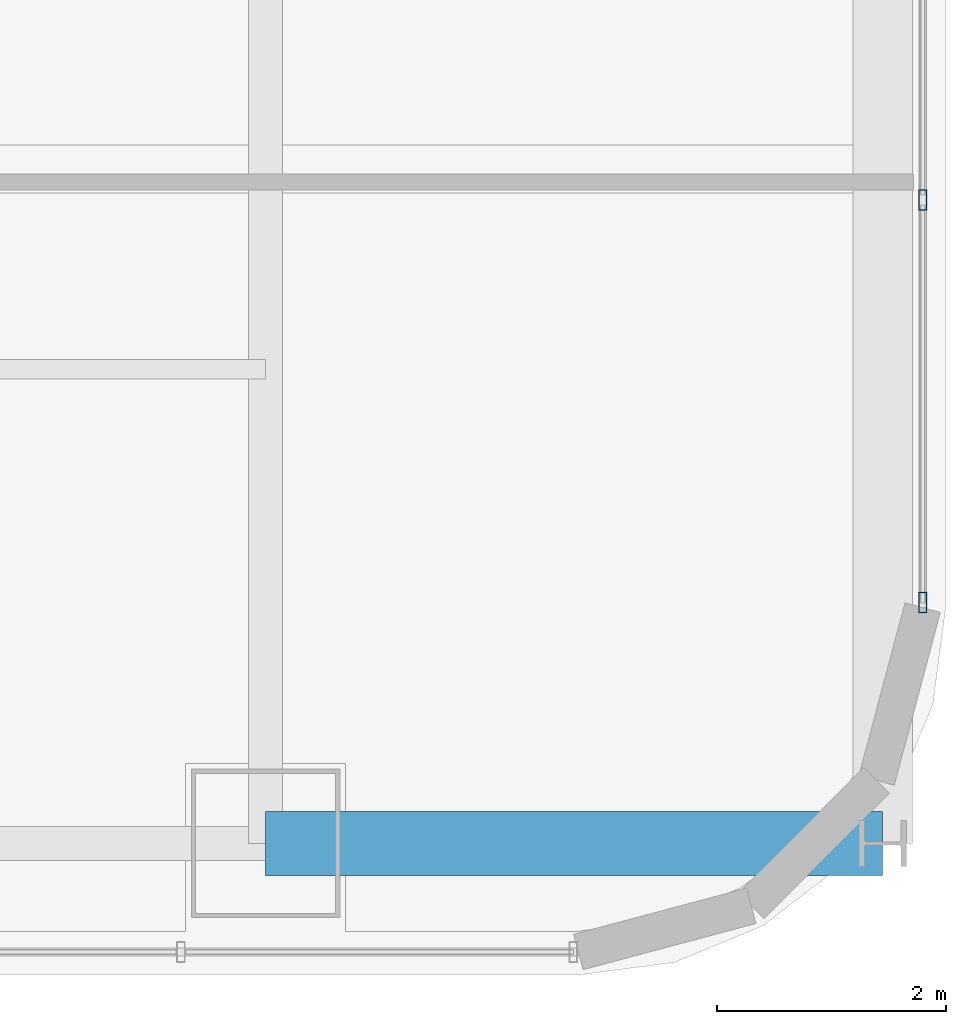
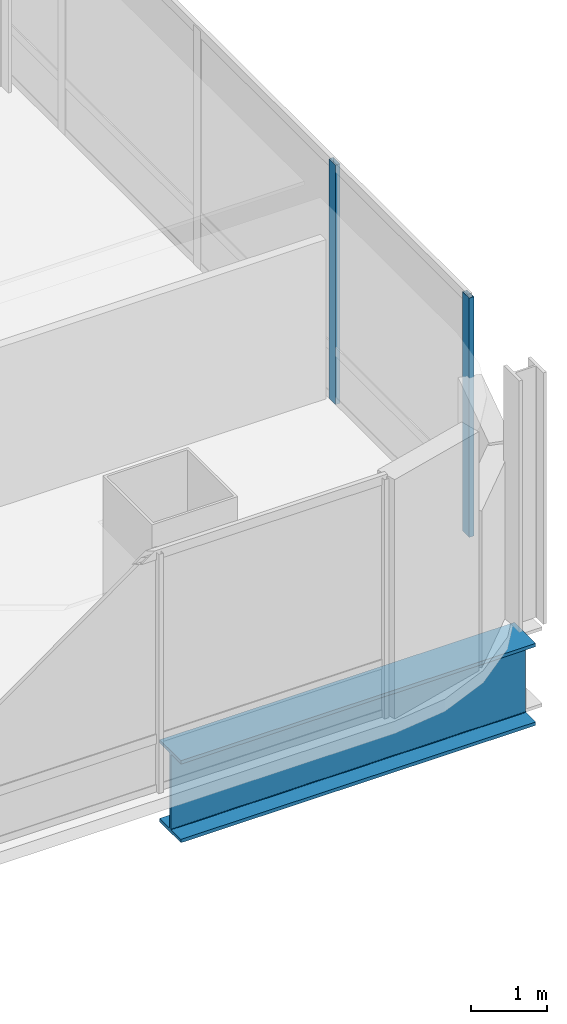
# One storey, part 13 of 44: 2 members, 1 beam, 1 element without a shape of its own.
"""IFC4 building model written with IfcOpenShell, lengths in metres."""

from ifc_helpers import new_model, si_unit, direction, frame, origin, origin_2d, place, context, subcontext, project, spatial, hollow_rectangle, i_section, extrude, material, material_profile, profile_set, type_object, element, aggregate, save


model = new_model("IFC4")

# Units and contexts
model_context = context("Model", 3, precision=1e-05, world=origin(), true_north=direction((0.0, 1.0)))
body_context = subcontext(model_context, "Body", "Model", "MODEL_VIEW")
ifc_project = project(units=[si_unit("LENGTHUNIT", "METRE"), si_unit("AREAUNIT", "SQUARE_METRE"), si_unit("VOLUMEUNIT", "CUBIC_METRE"), si_unit("PLANEANGLEUNIT", "RADIAN"), si_unit("MASSUNIT", "GRAM", prefix="KILO")], contexts=[model_context])

# Site, building, storey
site_placement = place(None, origin())
site = spatial("IfcSite", under=ifc_project, at=site_placement, CompositionType="ELEMENT")
building_placement = place(site_placement, origin())
building = spatial("IfcBuilding", under=site, at=building_placement, Name="Punatoya Terracotta Tower", CompositionType="ELEMENT")
storey_placement = place(building_placement, frame((0.0, 0.0, 267.60009765625)))
storey = spatial("IfcBuildingStorey", under=building, at=storey_placement, Name="L63", CompositionType="ELEMENT", Elevation=267.60009765625)

# Beam
ifc_material_1 = material(Name="Steel S460", Category="steel")
ifc_material_profile_1 = material_profile(ifc_material_1, i_section(OverallWidth=0.56005859375, OverallDepth=1.320068359375, WebThickness=0.035888671875, FlangeThickness=0.054931640625, FilletRadius=0.01806640625, at=origin_2d()))
ifc_profile_set_1 = profile_set([ifc_material_profile_1], Name="Steel S460")
beam_type = type_object("IfcBeamType", Name="BM-TG-BLK", PredefinedType="BEAM", material=ifc_profile_set_1)
beam_placement = place(storey_placement, frame((19.10009765625, -17.5, -0.860107421875), z_axis=(1.0, 0.0, 0.0), x_axis=(0.0, 1.0, 0.0)))
element("IfcBeam", 1, at=beam_placement, inside=storey, type_object=beam_type, Name="BM-L63-CANT-E1", PredefinedType="BEAM", context=body_context, shape_type="SweptSolid", body=[
    extrude(i_section(OverallWidth=0.56005859375, OverallDepth=1.320068359375, WebThickness=0.035888671875, FlangeThickness=0.054931640625, FilletRadius=0.01806640625, at=origin_2d()), origin(), (0.0, 0.0, 1.0), 5.39990234375),
])

# Curtain wall, members
ifc_material_2 = material(Name="Aluminium 6063-T6 + Double Low-E Glass", Category="aluminium")
curtain_wall_type = type_object("IfcCurtainWallType", Name="CW-M3", PredefinedType="NOTDEFINED", material=ifc_material_2)
curtain_wall_placement = place(storey_placement, origin())
curtain_wall = element("IfcCurtainWall", 2, at=curtain_wall_placement, inside=storey, type_object=curtain_wall_type, Name="L63 Curtain Wall CW-L63-E05-1", PredefinedType="NOTDEFINED")
ifc_material_3 = material(Name="Aluminium 6063-T6", Category="aluminium")
ifc_material_profile_2 = material_profile(ifc_material_3, hollow_rectangle(XDim=0.070068359375, YDim=0.179931640625, WallThickness=0.00390625, at=origin_2d()))
ifc_profile_set_2 = profile_set([ifc_material_profile_2], Name="Aluminium 6063-T6")
member_type = type_object("IfcMemberType", Name="CW-MUL-M3", PredefinedType="MULLION", material=ifc_profile_set_2)
member_1_placement = place(storey_placement, frame((24.85009765625, -15.391845703125, 0.0), z_axis=(0.0, 0.0, 1.0), x_axis=(1.0, 0.0, 0.0)))
member_1 = element("IfcMember", 3, at=member_1_placement, type_object=member_type, Name="CW-L63-E05-1 Mullion 00", PredefinedType="MULLION", context=body_context, shape_type="SweptSolid", body=[
    extrude(hollow_rectangle(XDim=0.070068359375, YDim=0.179931640625, WallThickness=0.00390625, at=origin_2d()), origin(), (0.0, 0.0, 1.0), 3.849853515625),
])
member_2_placement = place(storey_placement, frame((24.85009765625, -11.869384765625, 0.0), z_axis=(0.0, 0.0, 1.0), x_axis=(1.0, 0.0, 0.0)))
member_2 = element("IfcMember", 4, at=member_2_placement, type_object=member_type, Name="CW-L63-E05-1 Mullion 01", PredefinedType="MULLION", context=body_context, shape_type="SweptSolid", body=[
    extrude(hollow_rectangle(XDim=0.070068359375, YDim=0.179931640625, WallThickness=0.00390625, at=origin_2d()), origin(), (0.0, 0.0, 1.0), 3.849853515625),
])
aggregate(curtain_wall, [member_1, member_2])

save(model, "model.ifc")
